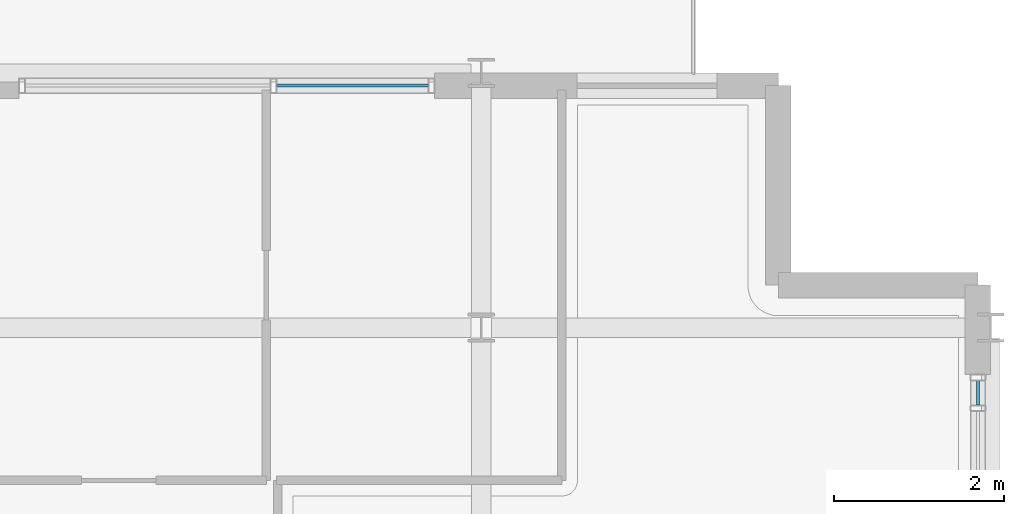
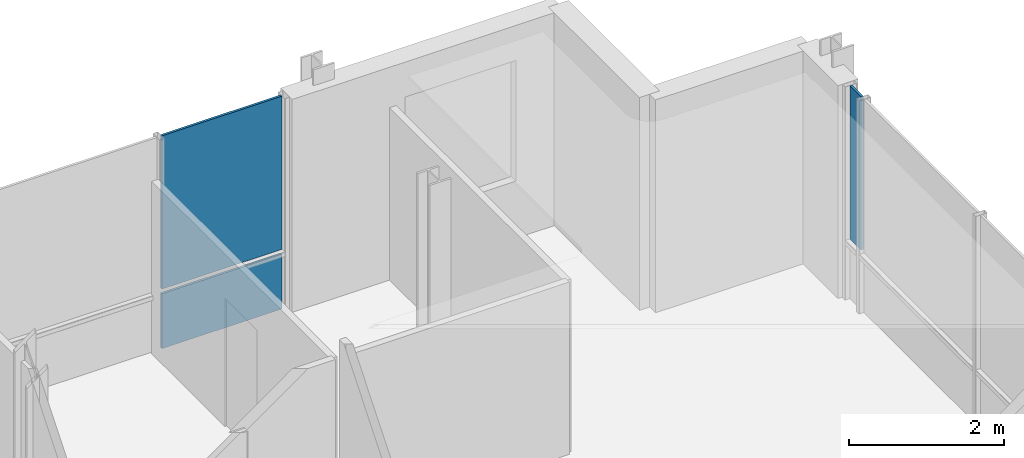
# One storey, part 11 of 18: 3 plates, 2 elements without a shape of their own.
"""IFC4 building model written with IfcOpenShell, lengths in metres."""

import ifcopenshell
import ifcopenshell.guid

model = None  # the IFC model being written
_history = None  # IfcOwnerHistory: only IFC2X3 demands one
_inside = {}  # id of a spatial element -> (the spatial element, [elements in it])
_under = {}  # id of a project, library or spatial element -> (it, [spatial elements below it])
_declared = {}  # id of a project -> (the project, [libraries it declares])
_typed = {}  # id of a type object -> (the type object, [elements of that type])
_made_of = {}  # id of a material, layer set ... -> (it, [elements and type objects made of it])


def new_model(schema):
    """Start an empty IFC model of exactly this schema.

    Asked for "IFC4X3", IfcOpenShell would pick the latest addendum, in which some entities
    have other attributes; the version numbers below select the first issue.
    IFC2X3 requires an IfcOwnerHistory on every rooted entity: one is made here for all.
    """
    global model, _history
    if schema == "IFC4X3":
        model = ifcopenshell.file(schema_version=(4, 3, 0, 0))
    else:
        model = ifcopenshell.file(schema=schema)
    _inside.clear()
    _under.clear()
    _declared.clear()
    _typed.clear()
    _made_of.clear()
    _history = None
    if model.schema == "IFC2X3":
        org = make("IfcOrganization", Name="unknown")
        user = make(
            "IfcPersonAndOrganization",
            ThePerson=make("IfcPerson", FamilyName="unknown"),
            TheOrganization=org,
        )
        app = make(
            "IfcApplication",
            ApplicationDeveloper=org,
            Version="unknown",
            ApplicationFullName="unknown",
            ApplicationIdentifier="unknown",
        )
        _history = make(
            "IfcOwnerHistory",
            OwningUser=user,
            OwningApplication=app,
            ChangeAction="ADDED",
            CreationDate=0,
        )
    return model


def make(cls, **values):
    """One entity of the class cls with the attributes given. An attribute that is None is left unset."""
    return model.create_entity(
        cls, **{name: value for name, value in values.items() if value is not None}
    )


def rooted(cls, **values):
    """An entity with a GlobalId (a new one), such as an element, a storey or a relation."""
    return make(cls, GlobalId=ifcopenshell.guid.new(), OwnerHistory=_history, **values)


def si_unit(unit_type, name, prefix=None):
    """IfcSIUnit, for example si_unit("LENGTHUNIT", "METRE", prefix="MILLI")."""
    return make("IfcSIUnit", UnitType=unit_type, Prefix=prefix, Name=name)


def assignment(units):
    """IfcUnitAssignment: the units of a project."""
    return None if units is None else make("IfcUnitAssignment", Units=units)


def point(xyz):
    """IfcCartesianPoint."""
    return None if xyz is None else make("IfcCartesianPoint", Coordinates=xyz)


def direction(xyz):
    """IfcDirection."""
    return None if xyz is None else make("IfcDirection", DirectionRatios=xyz)


def frame(location, z_axis=None, x_axis=None):
    """IfcAxis2Placement3D, a coordinate frame: its origin and axes. An axis left out is left unset."""
    return make(
        "IfcAxis2Placement3D",
        Location=point(location),
        Axis=direction(z_axis),
        RefDirection=direction(x_axis),
    )


def frame_2d(location, x_axis=None):
    """IfcAxis2Placement2D, a coordinate frame in the plane: its origin and x axis."""
    return make(
        "IfcAxis2Placement2D", Location=point(location), RefDirection=direction(x_axis)
    )


def origin():
    """The frame at (0, 0, 0) with its axes left unset."""
    return frame((0.0, 0.0, 0.0))


def origin_2d():
    """The frame at (0, 0) in the plane with its x axis left unset."""
    return frame_2d((0.0, 0.0))


def place(relative_to, where):
    """IfcLocalPlacement: puts the frame where relative to a parent placement (None: the world)."""
    return make(
        "IfcLocalPlacement", PlacementRelTo=relative_to, RelativePlacement=where
    )


def context(
    kind, dimensions, precision=None, world=None, true_north=None, identifier=None
):
    """IfcGeometricRepresentationContext, for example the 3D "Model" context."""
    return make(
        "IfcGeometricRepresentationContext",
        ContextIdentifier=identifier,
        ContextType=kind,
        CoordinateSpaceDimension=dimensions,
        Precision=precision,
        WorldCoordinateSystem=world,
        TrueNorth=true_north,
    )


def subcontext(parent, identifier, kind, view, scale=None):
    """IfcGeometricRepresentationSubContext, for example "Body" below "Model"."""
    return make(
        "IfcGeometricRepresentationSubContext",
        ContextIdentifier=identifier,
        ContextType=kind,
        ParentContext=parent,
        TargetScale=scale,
        TargetView=view,
    )


def project(units=None, contexts=None):
    """IfcProject with its units and contexts."""
    return rooted(
        "IfcProject",
        Name="project",
        RepresentationContexts=contexts,
        UnitsInContext=assignment(units),
    )


def spatial(cls, under=None, at=None, **own):
    """A site, building, storey or space (cls), placed at a placement, below another one or the project."""
    s = rooted(cls, ObjectPlacement=at, **own)
    if under is not None:
        _under.setdefault(under.id(), (under, []))[1].append(s)
    return s


def profile(cls, at=None, kind="AREA", **sizes):
    """A parametric profile (cls). Its sizes go by their IFC names, for example OverallWidth=200.0."""
    return make(cls, ProfileType=kind, Position=at, **sizes)


def rectangle(**sizes):
    """IfcRectangleProfileDef."""
    return profile("IfcRectangleProfileDef", **sizes)


def extrude(swept, where, along, depth):
    """IfcExtrudedAreaSolid: the profile swept, set in the frame where, extruded along a direction by depth."""
    return make(
        "IfcExtrudedAreaSolid",
        SweptArea=swept,
        Position=where,
        ExtrudedDirection=direction(along),
        Depth=depth,
    )


def shape(context_of_items, identifier, shape_type, items):
    """IfcShapeRepresentation: the items that make up one representation, for example the "Body"."""
    return make(
        "IfcShapeRepresentation",
        ContextOfItems=context_of_items,
        RepresentationIdentifier=identifier,
        RepresentationType=shape_type,
        Items=items,
    )


def material(Name=None, Category=None):
    """IfcMaterial."""
    return make("IfcMaterial", Name=Name, Category=Category)


def layer(
    of_material, thickness, ventilated=None, Name=None, Category=None, Priority=None
):
    """IfcMaterialLayer: one layer of a wall or slab, of a material (None: an air gap)."""
    return make(
        "IfcMaterialLayer",
        Material=of_material,
        LayerThickness=thickness,
        IsVentilated=ventilated,
        Name=Name,
        Category=Category,
        Priority=Priority,
    )


def layer_set(layers, Name=None):
    """IfcMaterialLayerSet."""
    return make("IfcMaterialLayerSet", MaterialLayers=layers, LayerSetName=Name)


def made_of(thing, what):
    """Note that an element or type object is made of a material, layer set ...; save() writes the relation."""
    if what is not None:
        _made_of.setdefault(what.id(), (what, []))[1].append(thing)
    return thing


def type_object(cls, material=None, **own):
    """A type object (cls), such as IfcWallType, which elements share."""
    return made_of(rooted(cls, **own), material)


def element(
    cls,
    number,
    at=None,
    inside=None,
    cuts=None,
    type_object=None,
    material=None,
    context=None,
    identifier="Body",
    shape_type=None,
    held_by="IfcProductDefinitionShape",
    body=None,
    shapes=None,
    **own,
):
    """One element of the class cls, such as IfcWall. Its Tag is "e" and its number.

    at: its placement. inside: the storey or other place that contains it. cuts: it is an
    opening in that element (IfcRelVoidsElement). A single representation is given by context,
    identifier, shape_type and body (its items); several are given by shapes. held_by: the class
    of the entity that holds the representations. save() writes the other relations.
    """
    e = rooted(cls, Tag="e%d" % number, ObjectPlacement=at, **own)
    if body is not None:
        shapes = [shape(context, identifier, shape_type, body)]
    if shapes is not None:
        e.Representation = make(held_by, Representations=shapes)
    if inside is not None:
        _inside.setdefault(inside.id(), (inside, []))[1].append(e)
    if cuts is not None:
        rooted(
            "IfcRelVoidsElement", RelatingBuildingElement=cuts, RelatedOpeningElement=e
        )
    if type_object is not None:
        _typed.setdefault(type_object.id(), (type_object, []))[1].append(e)
    return made_of(e, material)


def aggregate(whole, parts):
    """IfcRelAggregates: a whole, such as a stair, and the parts it consists of."""
    return rooted("IfcRelAggregates", RelatingObject=whole, RelatedObjects=parts)


def save(model, path):
    """Write the relations noted so far, then the file.

    IfcRelAggregates (storeys below a building ...), IfcRelContainedInSpatialStructure (elements
    in a storey), IfcRelDefinesByType, IfcRelAssociatesMaterial and IfcRelDeclares: one each for
    every whole, place, type object, material and project.
    """
    for whole, parts in _under.values():
        aggregate(whole, parts)
    for where, things in _inside.values():
        rooted(
            "IfcRelContainedInSpatialStructure",
            RelatedElements=things,
            RelatingStructure=where,
        )
    for kind, things in _typed.values():
        rooted("IfcRelDefinesByType", RelatedObjects=things, RelatingType=kind)
    for what, things in _made_of.values():
        rooted("IfcRelAssociatesMaterial", RelatedObjects=things, RelatingMaterial=what)
    for by, libraries in _declared.values():
        rooted("IfcRelDeclares", RelatingContext=by, RelatedDefinitions=libraries)
    model.write(path)


model = new_model("IFC4")

# Units and contexts
model_context = context("Model", 3, precision=1e-05, world=origin(), true_north=direction((0.0, 1.0)))
body_context = subcontext(model_context, "Body", "Model", "MODEL_VIEW")
ifc_project = project(units=[si_unit("LENGTHUNIT", "METRE"), si_unit("AREAUNIT", "SQUARE_METRE"), si_unit("VOLUMEUNIT", "CUBIC_METRE"), si_unit("PLANEANGLEUNIT", "RADIAN"), si_unit("MASSUNIT", "GRAM", prefix="KILO")], contexts=[model_context])

# Site, building, storey
site_placement = place(None, origin())
site = spatial("IfcSite", under=ifc_project, at=site_placement, CompositionType="ELEMENT")
building_placement = place(site_placement, origin())
building = spatial("IfcBuilding", under=site, at=building_placement, Name="Brevholm Reach", CompositionType="ELEMENT")
storey_placement = place(building_placement, frame((0.0, 0.0, 240.050048828125)))
storey = spatial("IfcBuildingStorey", under=building, at=storey_placement, Name="L73", CompositionType="ELEMENT", Elevation=240.050048828125)

# Curtain wall, plate
ifc_material_1 = material(Name="Dark Anodised Aluminium 6063-T6 and Solar-Control Glass", Category="aluminium")
ifc_layer_1 = layer(ifc_material_1, 0.179931640625)
ifc_layer_set_1 = layer_set([ifc_layer_1], Name="Dark Anodised Aluminium 6063-T6 and Solar-Control Glass")
curtain_wall_type = type_object("IfcCurtainWallType", Name="CW-05", PredefinedType="NOTDEFINED", material=ifc_layer_set_1)
curtain_wall_1_placement = place(storey_placement, origin())
curtain_wall_1 = element("IfcCurtainWall", 1, at=curtain_wall_1_placement, inside=storey, type_object=curtain_wall_type, Name="L73 Curtain Wall CW-05", PredefinedType="NOTDEFINED")
ifc_material_2 = material(Name="Low-Iron Laminated Acoustic Glass", Category="glass")
ifc_layer_2 = layer(ifc_material_2, 0.035888671875)
ifc_layer_set_2 = layer_set([ifc_layer_2], Name="Low-Iron Laminated Acoustic Glass")
plate_type = type_object("IfcPlateType", Name="CWP-GLZ-36", PredefinedType="CURTAIN_PANEL", material=ifc_layer_set_2)
plate_1_placement = place(storey_placement, frame((59.85009765625, 22.731201171875, 0.9375), z_axis=(0.0, 0.0, 1.0), x_axis=(0.0, 1.0, 0.0)))
plate_1 = element("IfcPlate", 2, at=plate_1_placement, type_object=plate_type, Name="CP-02 Glazing Panel 5.2", PredefinedType="CURTAIN_PANEL", context=body_context, shape_type="SweptSolid", body=[
    extrude(rectangle(XDim=0.28759765625, YDim=0.035888671875, at=origin_2d()), origin(), (0.0, 0.0, 1.0), 2.41259765625),
])
aggregate(curtain_wall_1, [plate_1])

# Curtain wall, plates
curtain_wall_2_placement = place(storey_placement, origin())
curtain_wall_2 = element("IfcCurtainWall", 3, at=curtain_wall_2_placement, inside=storey, type_object=curtain_wall_type, Name="L73 Curtain Wall CW-05", PredefinedType="NOTDEFINED")
plate_2_placement = place(storey_placement, frame((52.481201171875, 26.35009765625, 0.0), z_axis=(0.0, 0.0, 1.0), x_axis=(1.0, 0.0, 0.0)))
plate_2 = element("IfcPlate", 4, at=plate_2_placement, type_object=plate_type, Name="CP-02 Glazing Panel 2.1", PredefinedType="CURTAIN_PANEL", context=body_context, shape_type="SweptSolid", body=[
    extrude(rectangle(XDim=1.78759765625, YDim=0.035888671875, at=origin_2d()), origin(), (0.0, 0.0, 1.0), 0.862548828125),
])
plate_3_placement = place(storey_placement, frame((52.481201171875, 26.35009765625, 0.9375), z_axis=(0.0, 0.0, 1.0), x_axis=(1.0, 0.0, 0.0)))
plate_3 = element("IfcPlate", 5, at=plate_3_placement, type_object=plate_type, Name="CP-02 Glazing Panel 2.2", PredefinedType="CURTAIN_PANEL", context=body_context, shape_type="SweptSolid", body=[
    extrude(rectangle(XDim=1.78759765625, YDim=0.035888671875, at=origin_2d()), origin(), (0.0, 0.0, 1.0), 2.41259765625),
])
aggregate(curtain_wall_2, [plate_2, plate_3])

save(model, "model.ifc")
